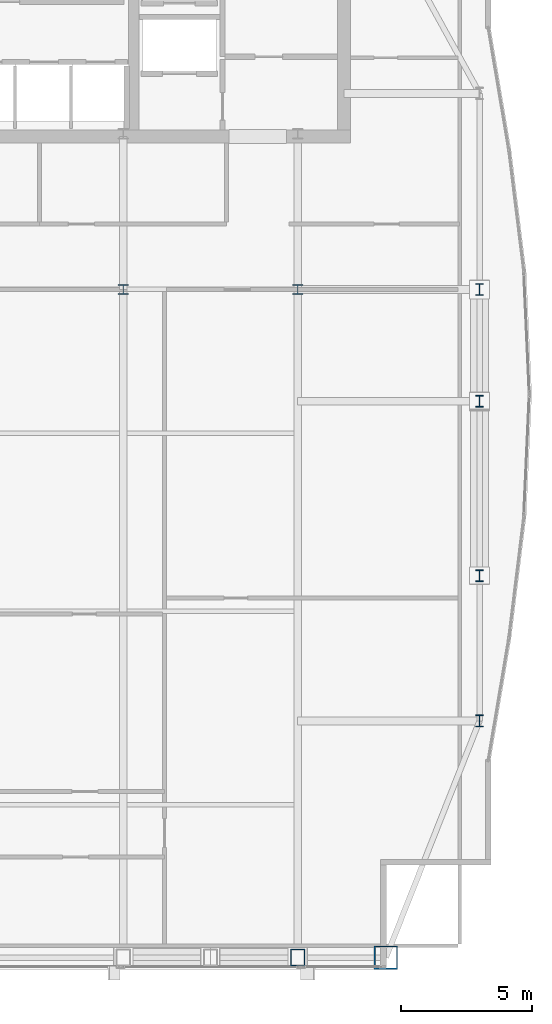
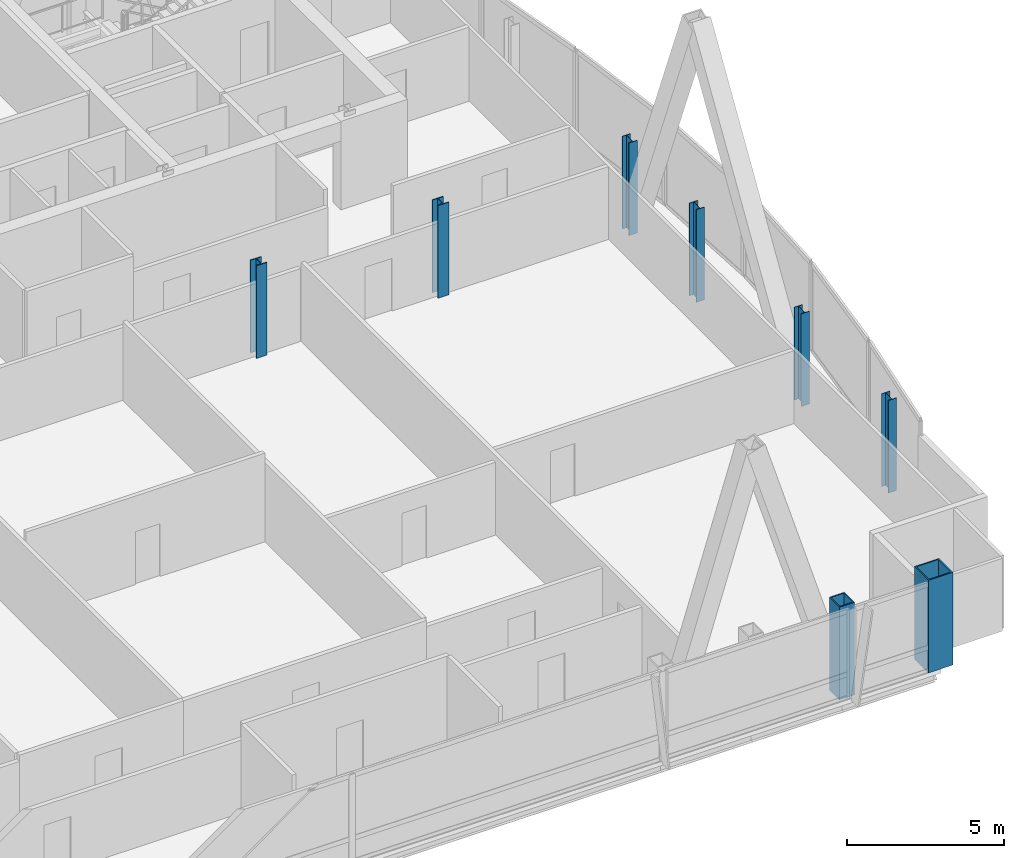
# One storey, part 2 of 29: 8 columns.
"""IFC4 building model written with IfcOpenShell, lengths in metres."""

from ifc_helpers import new_model, si_unit, direction, frame, origin, origin_2d, place, context, subcontext, project, spatial, hollow_rectangle, i_section, extrude, material, material_profile, profile_set, type_object, element, save


model = new_model("IFC4")

# Units and contexts
model_context = context("Model", 3, precision=1e-05, world=origin(), true_north=direction((0.0, 1.0)))
body_context = subcontext(model_context, "Body", "Model", "MODEL_VIEW")
ifc_project = project(units=[si_unit("LENGTHUNIT", "METRE"), si_unit("AREAUNIT", "SQUARE_METRE"), si_unit("VOLUMEUNIT", "CUBIC_METRE"), si_unit("PLANEANGLEUNIT", "RADIAN"), si_unit("MASSUNIT", "GRAM", prefix="KILO")], contexts=[model_context])

# Site, building, storey
site_placement = place(None, origin())
site = spatial("IfcSite", under=ifc_project, at=site_placement, CompositionType="ELEMENT")
building_placement = place(site_placement, origin())
building = spatial("IfcBuilding", under=site, at=building_placement, Name="Khoronbel Lancet Exchange", CompositionType="ELEMENT")
storey_placement = place(building_placement, frame((0.0, 0.0, 336.199951171875)))
storey = spatial("IfcBuildingStorey", under=building, at=storey_placement, Name="L87", CompositionType="ELEMENT", Elevation=336.199951171875)

# Columns
ifc_material_1 = material(Name="Steel S460", Category="steel")
ifc_material_profile_1 = material_profile(ifc_material_1, hollow_rectangle(XDim=0.550048828125, YDim=0.64990234375, WallThickness=0.0400390625, at=origin_2d()), Name="BOX 650x550x40")
ifc_profile_set_1 = profile_set([ifc_material_profile_1], Name="Steel S460")
column_type_1 = type_object("IfcColumnType", Name="COL-EC4", PredefinedType="COLUMN", material=ifc_profile_set_1)
column_1_placement = place(storey_placement, frame((54.675048828125, 10.14990234375, 0.0), z_axis=(0.0, 0.0, 1.0), x_axis=(1.0, 0.0, 0.0)))
element("IfcColumn", 1, at=column_1_placement, inside=storey, type_object=column_type_1, Name="Structural column SC-E2 L87", PredefinedType="COLUMN", context=body_context, shape_type="SweptSolid", body=[
    extrude(hollow_rectangle(XDim=0.550048828125, YDim=0.64990234375, WallThickness=0.0400390625, at=origin_2d()), origin(), (0.0, 0.0, 1.0), 3.60009765625),
])
ifc_material_2 = material(Name="Steel S355", Category="steel")
ifc_material_profile_2 = material_profile(ifc_material_2, i_section(OverallWidth=0.39892578125, OverallDepth=0.39306640625, WebThickness=0.022705078125, FlangeThickness=0.03662109375, at=origin_2d()), Name="HD 400x287")
ifc_profile_set_2 = profile_set([ifc_material_profile_2], Name="Steel S355")
column_type_2 = type_object("IfcColumnType", Name="COL-IC4", PredefinedType="COLUMN", material=ifc_profile_set_2)
for number, where, z_axis, x_axis, name in (
    (2, (48.0, 35.699951171875, 0.0), (0.0, 0.0, 1.0), (1.0, 0.0, 0.0), "Spine gravity column TC3 L87"),
    (3, (54.675048828125, 35.699951171875, 0.0), (0.0, 0.0, 1.0), (1.0, 0.0, 0.0), "Spine gravity column TC4 L87"),
):
    element("IfcColumn", number, at=place(storey_placement, frame(where, z_axis=z_axis, x_axis=x_axis)), inside=storey, type_object=column_type_2, Name=name, PredefinedType="COLUMN", context=body_context, shape_type="SweptSolid", body=[
        extrude(i_section(OverallWidth=0.39892578125, OverallDepth=0.39306640625, WebThickness=0.022705078125, FlangeThickness=0.03662109375, at=origin_2d()), origin(), (0.0, 0.0, 1.0), 3.60009765625),
    ])
ifc_material_profile_3 = material_profile(ifc_material_2, i_section(OverallWidth=0.300048828125, OverallDepth=0.449951171875, WebThickness=0.013916015625, FlangeThickness=0.02587890625, at=origin_2d()), Name="HEB 450")
ifc_profile_set_3 = profile_set([ifc_material_profile_3], Name="Steel S355")
column_type_3 = type_object("IfcColumnType", Name="COL-LC2", PredefinedType="COLUMN", material=ifc_profile_set_3)
for number, where, z_axis, x_axis, name in (
    (4, (61.6298828125, 19.199951171875, 0.0), (0.0, 0.0, 1.0), (1.0, 0.0, 0.0), "Structural column EC-1 L87"),
    (5, (61.6298828125, 24.75, 0.0), (0.0, 0.0, 1.0), (1.0, 0.0, 0.0), "Structural column EC-2 L87"),
    (6, (61.6298828125, 31.425048828125, 0.0), (0.0, 0.0, 1.0), (1.0, 0.0, 0.0), "Structural column EC-M L87"),
    (7, (61.6298828125, 35.699951171875, 0.0), (0.0, 0.0, 1.0), (1.0, 0.0, 0.0), "Structural column EC-3 L87"),
):
    element("IfcColumn", number, at=place(storey_placement, frame(where, z_axis=z_axis, x_axis=x_axis)), inside=storey, type_object=column_type_3, Name=name, PredefinedType="COLUMN", context=body_context, shape_type="SweptSolid", body=[
        extrude(i_section(OverallWidth=0.300048828125, OverallDepth=0.449951171875, WebThickness=0.013916015625, FlangeThickness=0.02587890625, at=origin_2d()), origin(), (0.0, 0.0, 1.0), 3.60009765625),
    ])
ifc_material_profile_4 = material_profile(ifc_material_1, hollow_rectangle(XDim=0.89990234375, YDim=0.89990234375, WallThickness=0.050048828125, at=origin_2d()), Name="BOX 900x900x50")
ifc_profile_set_4 = profile_set([ifc_material_profile_4], Name="Steel S460")
column_type_4 = type_object("IfcColumnType", Name="COL-MC7", PredefinedType="COLUMN", material=ifc_profile_set_4)
column_2_placement = place(storey_placement, frame((58.050048828125, 10.14990234375, 0.0), z_axis=(0.0, 0.0, 1.0), x_axis=(1.0, 0.0, 0.0)))
element("IfcColumn", 8, at=column_2_placement, inside=storey, type_object=column_type_4, Name="Structural column MC-SE L87", PredefinedType="COLUMN", context=body_context, shape_type="SweptSolid", body=[
    extrude(hollow_rectangle(XDim=0.89990234375, YDim=0.89990234375, WallThickness=0.050048828125, at=origin_2d()), origin(), (0.0, 0.0, 1.0), 3.60009765625),
])

save(model, "model.ifc")
